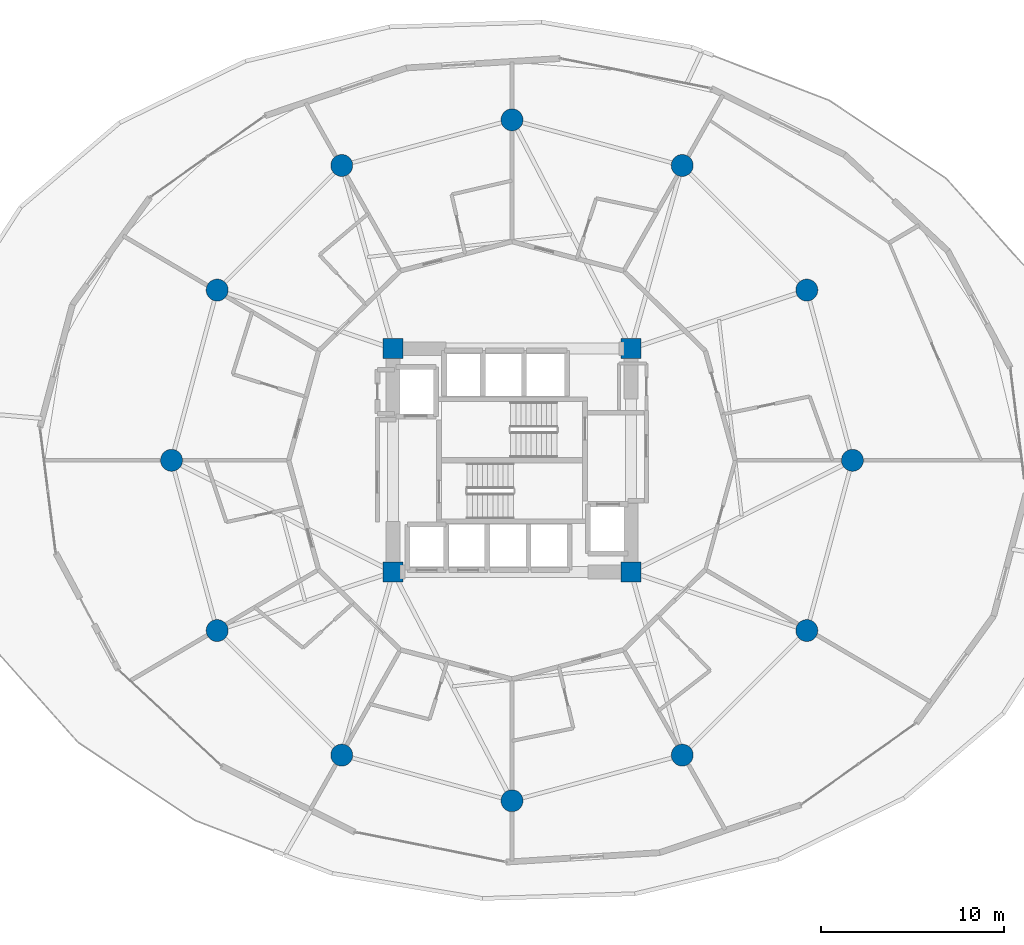
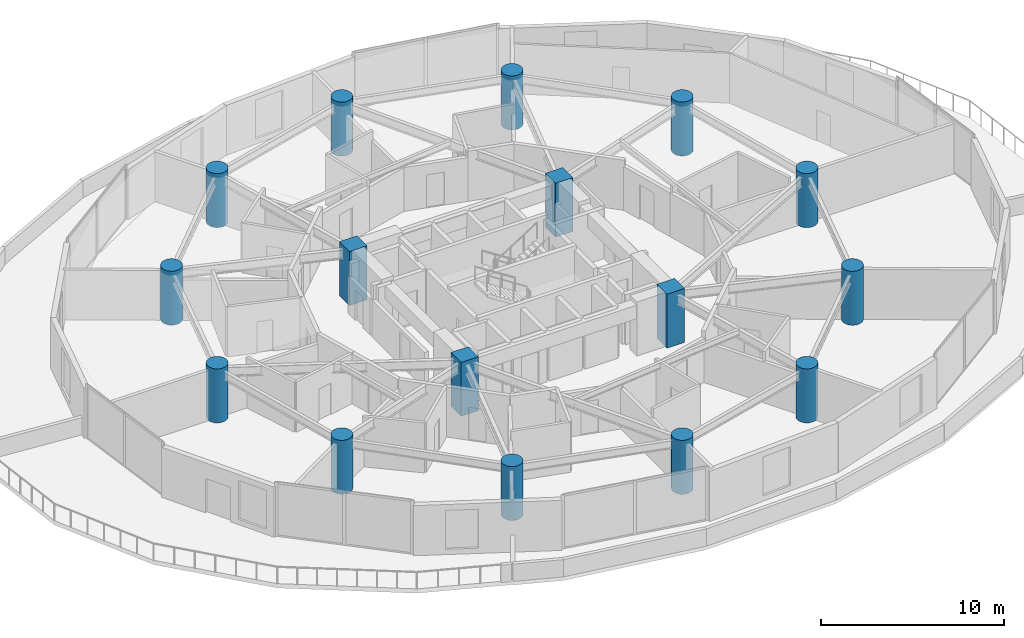
# One storey, part 1 of 25: 16 columns.
"""IFC4 building model written with IfcOpenShell, lengths in metres."""

from ifc_helpers import new_model, si_unit, direction, frame, origin, origin_2d, place, context, subcontext, project, spatial, rectangle, circle, extrude, material, material_profile, profile_set, type_object, element, save


model = new_model("IFC4")

# Units and contexts
model_context = context("Model", 3, precision=1e-05, world=origin(), true_north=direction((0.0, 1.0)))
body_context = subcontext(model_context, "Body", "Model", "MODEL_VIEW")
ifc_project = project(units=[si_unit("LENGTHUNIT", "METRE"), si_unit("AREAUNIT", "SQUARE_METRE"), si_unit("VOLUMEUNIT", "CUBIC_METRE"), si_unit("PLANEANGLEUNIT", "RADIAN"), si_unit("MASSUNIT", "GRAM", prefix="KILO")], contexts=[model_context])

# Site, building, storey
site_placement = place(None, origin())
site = spatial("IfcSite", under=ifc_project, at=site_placement, CompositionType="ELEMENT")
building_placement = place(site_placement, origin())
building = spatial("IfcBuilding", under=site, at=building_placement, Name="Solvirekh Grand Hotel", CompositionType="ELEMENT")
storey_placement = place(building_placement, frame((0.0, 0.0, 28.39990234375)))
storey = spatial("IfcBuildingStorey", under=building, at=storey_placement, Name="L05", CompositionType="ELEMENT", Elevation=28.39990234375)

# Columns
ifc_material = material(Name="Concrete C60/75", Category="concrete")
ifc_material_profile_1 = material_profile(ifc_material, rectangle(XDim=1.10009765625, YDim=1.10009765625, at=origin_2d()), Name="RC 1100X1100")
ifc_profile_set_1 = profile_set([ifc_material_profile_1], Name="Concrete C60/75")
column_type_1 = type_object("IfcColumnType", Name="Col_Core_1100", PredefinedType="COLUMN", material=ifc_profile_set_1)
for number, where, z_axis, x_axis, name in (
    (1, (-6.5, -6.10009765625, 0.0), (0.0, 0.0, 1.0), (1.0, 0.0, 0.0), "L05 core corner column CC1"),
    (2, (6.5, -6.10009765625, 0.0), (0.0, 0.0, 1.0), (1.0, 0.0, 0.0), "L05 core corner column CC2"),
    (3, (6.5, 6.10009765625, 0.0), (0.0, 0.0, 1.0), (1.0, 0.0, 0.0), "L05 core corner column CC3"),
    (4, (-6.5, 6.10009765625, 0.0), (0.0, 0.0, 1.0), (1.0, 0.0, 0.0), "L05 core corner column CC4"),
):
    element("IfcColumn", number, at=place(storey_placement, frame(where, z_axis=z_axis, x_axis=x_axis)), inside=storey, type_object=column_type_1, Name=name, PredefinedType="COLUMN", context=body_context, shape_type="SweptSolid", body=[
        extrude(rectangle(XDim=1.10009765625, YDim=1.10009765625, at=origin_2d()), origin(), (0.0, 0.0, 1.0), 3.60009765625),
    ])
ifc_material_profile_2 = material_profile(ifc_material, circle(Radius=0.60009765625, at=origin_2d()), Name="RC CIRC D1200")
ifc_profile_set_2 = profile_set([ifc_material_profile_2], Name="Concrete C60/75")
column_type_2 = type_object("IfcColumnType", Name="Col_Z1_D1200", PredefinedType="COLUMN", material=ifc_profile_set_2)
for number, where, z_axis, x_axis, name in (
    (5, (18.60009765625, 0.0, 0.0), (0.0, 0.0, 1.0), (1.0, 0.0, 0.0), "L05 perimeter column P01"),
    (6, (16.10791015625, 9.300048828125, 0.0), (0.0, 0.0, 1.0), (1.0, 0.0, 0.0), "L05 perimeter column P02"),
    (7, (9.300048828125, 16.10791015625, 0.0), (0.0, 0.0, 1.0), (1.0, 0.0, 0.0), "L05 perimeter column P03"),
    (8, (0.0, 18.60009765625, 0.0), (0.0, 0.0, 1.0), (1.0, 0.0, 0.0), "L05 perimeter column P04"),
    (9, (-9.300048828125, 16.10791015625, 0.0), (0.0, 0.0, 1.0), (1.0, 0.0, 0.0), "L05 perimeter column P05"),
    (10, (-16.10791015625, 9.300048828125, 0.0), (0.0, 0.0, 1.0), (1.0, 0.0, 0.0), "L05 perimeter column P06"),
    (11, (-18.60009765625, 0.0, 0.0), (0.0, 0.0, 1.0), (1.0, 0.0, 0.0), "L05 perimeter column P07"),
    (12, (-16.10791015625, -9.300048828125, 0.0), (0.0, 0.0, 1.0), (1.0, 0.0, 0.0), "L05 perimeter column P08"),
    (13, (-9.300048828125, -16.10791015625, 0.0), (0.0, 0.0, 1.0), (1.0, 0.0, 0.0), "L05 perimeter column P09"),
    (14, (0.0, -18.60009765625, 0.0), (0.0, 0.0, 1.0), (1.0, 0.0, 0.0), "L05 perimeter column P10"),
    (15, (9.300048828125, -16.10791015625, 0.0), (0.0, 0.0, 1.0), (1.0, 0.0, 0.0), "L05 perimeter column P11"),
    (16, (16.10791015625, -9.300048828125, 0.0), (0.0, 0.0, 1.0), (1.0, 0.0, 0.0), "L05 perimeter column P12"),
):
    element("IfcColumn", number, at=place(storey_placement, frame(where, z_axis=z_axis, x_axis=x_axis)), inside=storey, type_object=column_type_2, Name=name, PredefinedType="COLUMN", context=body_context, shape_type="SweptSolid", body=[
        extrude(circle(Radius=0.60009765625, at=origin_2d()), origin(), (0.0, 0.0, 1.0), 3.60009765625),
    ])

save(model, "model.ifc")
